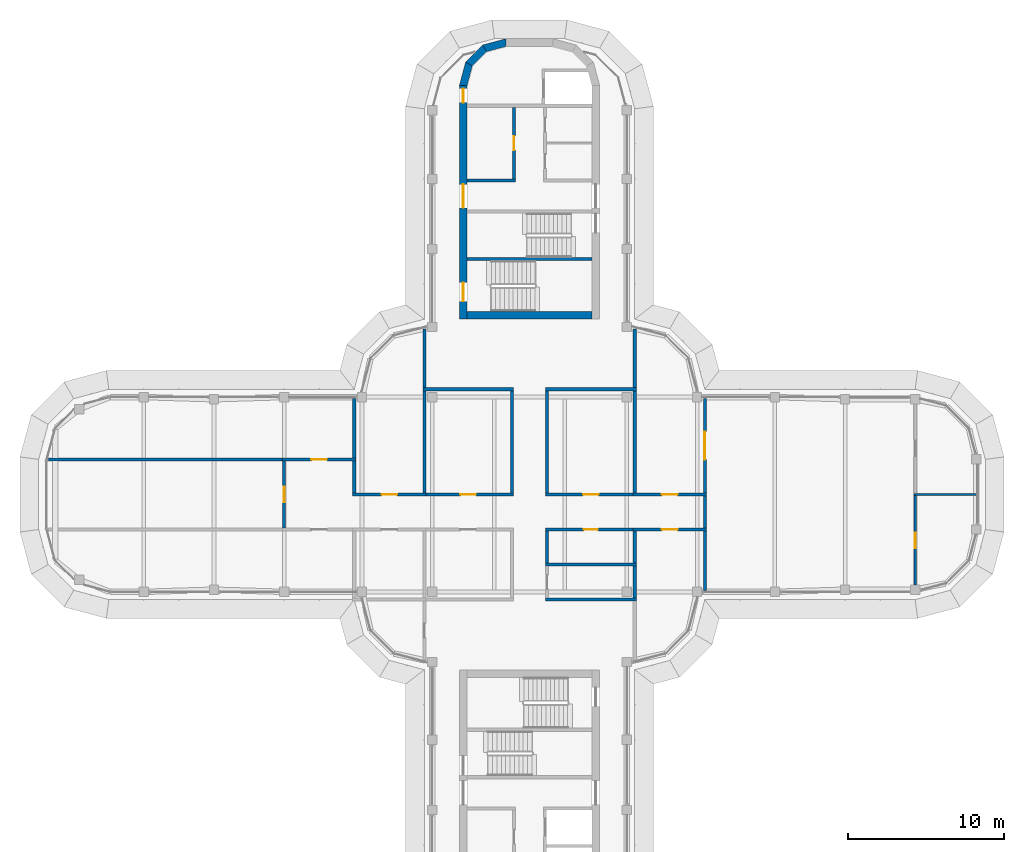
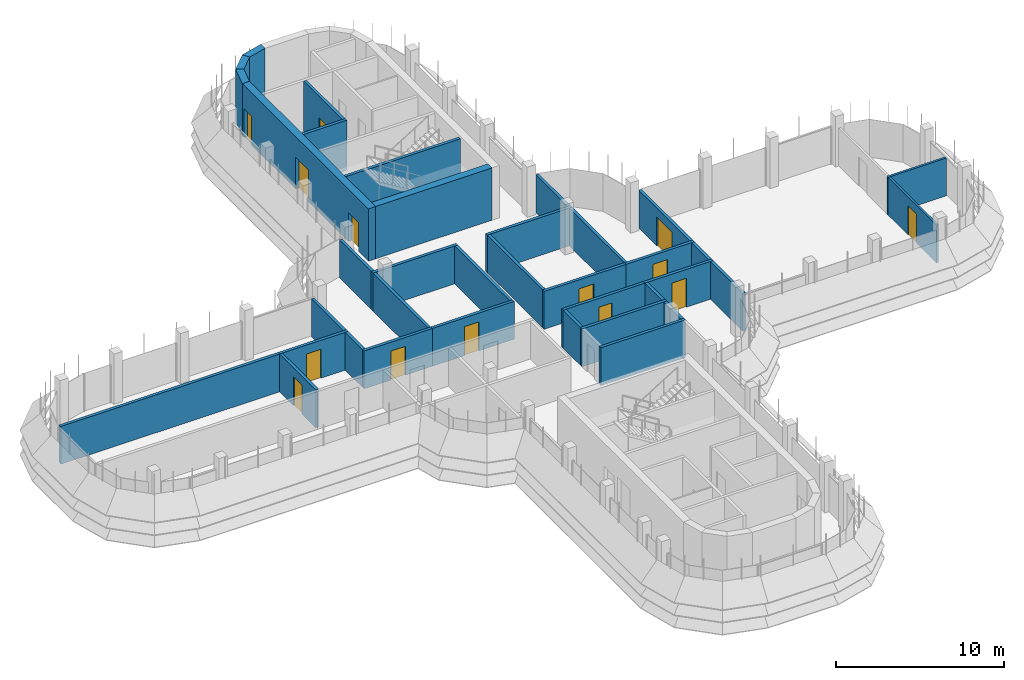
# One storey, part 14 of 19: 37 walls, 14 doors, 14 openings.
"""IFC4 building model written with IfcOpenShell, lengths in metres."""

from ifc_helpers import new_model, si_unit, direction, frame, frame_2d, origin, place, context, subcontext, project, spatial, polyline, rectangle, outline, extrude, material, layer, layer_set, type_object, element, fill, save


model = new_model("IFC4")

# Units and contexts
model_context = context("Model", 3, precision=1e-05, world=origin(), true_north=direction((0.0, 1.0)))
body_context = subcontext(model_context, "Body", "Model", "MODEL_VIEW")
ifc_project = project(units=[si_unit("LENGTHUNIT", "METRE"), si_unit("AREAUNIT", "SQUARE_METRE"), si_unit("VOLUMEUNIT", "CUBIC_METRE"), si_unit("PLANEANGLEUNIT", "RADIAN"), si_unit("MASSUNIT", "GRAM", prefix="KILO")], contexts=[model_context])

# Site, building, storey
site_placement = place(None, origin())
site = spatial("IfcSite", under=ifc_project, at=site_placement, CompositionType="ELEMENT")
building_placement = place(site_placement, origin())
building = spatial("IfcBuilding", under=site, at=building_placement, Name="Zarbagh Exchange Tower", CompositionType="ELEMENT")
storey_placement = place(building_placement, frame((0.0, 0.0, 276.39990234375)))
storey = spatial("IfcBuildingStorey", under=building, at=storey_placement, Name="L68", CompositionType="ELEMENT", Elevation=276.39990234375)

# Wall, opening, door
ifc_material_1 = material(Name="Plasterboard partition")
ifc_layer_1 = layer(ifc_material_1, 0.14990234375)
ifc_layer_set_1 = layer_set([ifc_layer_1], Name="PARTITION 150")
wall_type_1 = type_object("IfcWallType", Name="PARTITION 150", PredefinedType="PARTITIONING", material=ifc_layer_set_1)
wall_1_placement = place(storey_placement, frame((24.75, -0.074951171875, 0.0), z_axis=(0.0, 0.0, 1.0), x_axis=(0.0, -1.0, 0.0)))
wall_1 = element("IfcWall", 1, at=wall_1_placement, inside=storey, type_object=wall_type_1, Name="Partition W-2936", PredefinedType="PARTITIONING", context=body_context, shape_type="SweptSolid", body=[
    extrude(rectangle(XDim=5.735107421875, YDim=0.14990234375, at=frame_2d((2.86767578125, 0.0))), origin(), (0.0, 0.0, 1.0), 2.75),
])
opening_1_placement = place(wall_1_placement, frame((2.367431640625, 0.0, 0.0)))
opening_1 = element("IfcOpeningElement", 2, at=opening_1_placement, cuts=wall_1, Name="Opening D-2902", PredefinedType="OPENING", context=body_context, shape_type="SweptSolid", body=[
    extrude(rectangle(XDim=1.0, YDim=2.10009765625, at=frame_2d((0.5, 1.050048828125))), frame((0.0, 0.0849609375, 0.0), z_axis=(0.0, -1.0, 0.0), x_axis=(1.0, 0.0, 0.0)), (0.0, 0.0, 1.0), 0.169921875),
])
ifc_material_2 = material(Name="Timber door leaf", Category="wood")
door_type_1 = type_object("IfcDoorType", Name="DOOR 1000 X 2100", OperationType="NOTDEFINED", PredefinedType="DOOR", material=ifc_material_2)
door_1_placement = place(opening_1_placement, origin())
door_1 = element("IfcDoor", 3, at=door_1_placement, inside=storey, type_object=door_type_1, Name="Door D-2902", OperationType="SINGLE_SWING_RIGHT", OverallHeight=2.10009765625, OverallWidth=1.0, PredefinedType="DOOR", context=body_context, shape_type="SweptSolid", body=[
    extrude(rectangle(XDim=1.0, YDim=2.10009765625, at=frame_2d((0.5, 1.050048828125))), frame((0.0, 0.02490234375, 0.0), z_axis=(0.0, -1.0, 0.0), x_axis=(1.0, 0.0, 0.0)), (0.0, 0.0, 1.0), 0.050048828125),
])
fill(opening_1, door_1)

# Wall
wall_2_placement = place(storey_placement, frame((24.675048828125, 0.0, 0.0), z_axis=(0.0, 0.0, 1.0), x_axis=(1.0, 0.0, 0.0)))
element("IfcWall", 4, at=wall_2_placement, inside=storey, type_object=wall_type_1, Name="Partition W-2937", PredefinedType="PARTITIONING", context=body_context, shape_type="SweptSolid", body=[
    extrude(rectangle(XDim=3.994873046875, YDim=0.14990234375, at=frame_2d((1.99755859375, 0.0))), origin(), (0.0, 0.0, 1.0), 2.75),
])

# Wall, opening, door
ifc_material_3 = material(Name="Fire-rated plasterboard partition")
ifc_layer_2 = layer(ifc_material_3, 0.199951171875)
ifc_layer_set_2 = layer_set([ifc_layer_2], Name="RATED PARTITION 200")
wall_type_2 = type_object("IfcWallType", Name="RATED PARTITION 200", PredefinedType="PARTITIONING", material=ifc_layer_set_2)
wall_3_placement = place(storey_placement, frame((1.02490234375, 0.0, 0.0), z_axis=(0.0, 0.0, 1.0), x_axis=(1.0, 0.0, 0.0)))
wall_3 = element("IfcWall", 5, at=wall_3_placement, inside=storey, type_object=wall_type_2, Name="Partition W-2901", PredefinedType="PARTITIONING", context=body_context, shape_type="SweptSolid", body=[
    extrude(rectangle(XDim=5.8251953125, YDim=0.199951171875, at=frame_2d((2.91259765625, 0.0))), origin(), (0.0, 0.0, 1.0), 2.75),
])
opening_2_placement = place(wall_3_placement, frame((2.41259765625, 0.0, 0.0)))
opening_2 = element("IfcOpeningElement", 6, at=opening_2_placement, cuts=wall_3, Name="Opening D-2904", PredefinedType="OPENING", context=body_context, shape_type="SweptSolid", body=[
    extrude(rectangle(XDim=1.0, YDim=2.10009765625, at=frame_2d((0.5, 1.050048828125))), frame((0.0, 0.10986328125, 0.0), z_axis=(0.0, -1.0, 0.0), x_axis=(1.0, 0.0, 0.0)), (0.0, 0.0, 1.0), 0.219970703125),
])
ifc_material_4 = material(Name="Steel door set", Category="steel")
door_type_2 = type_object("IfcDoorType", Name="FIRE DOOR 1000 X 2100 FD30S", OperationType="NOTDEFINED", PredefinedType="DOOR", material=ifc_material_4)
door_2_placement = place(opening_2_placement, origin())
door_2 = element("IfcDoor", 7, at=door_2_placement, inside=storey, type_object=door_type_2, Name="Door D-2904", OperationType="SINGLE_SWING_RIGHT", OverallHeight=2.10009765625, OverallWidth=1.0, PredefinedType="DOOR", context=body_context, shape_type="SweptSolid", body=[
    extrude(rectangle(XDim=1.0, YDim=2.10009765625, at=frame_2d((0.5, 1.050048828125))), frame((0.0, 0.02490234375, 0.0), z_axis=(0.0, -1.0, 0.0), x_axis=(1.0, 0.0, 0.0)), (0.0, 0.0, 1.0), 0.050048828125),
])
fill(opening_2, door_2)

wall_4_placement = place(storey_placement, frame((6.64990234375, 0.0, 0.0), z_axis=(0.0, 0.0, 1.0), x_axis=(1.0, 0.0, 0.0)))
wall_4 = element("IfcWall", 8, at=wall_4_placement, inside=storey, type_object=wall_type_2, Name="Partition W-2902", PredefinedType="PARTITIONING", context=body_context, shape_type="SweptSolid", body=[
    extrude(rectangle(XDim=4.7001953125, YDim=0.199951171875, at=frame_2d((2.35009765625, 0.0))), origin(), (0.0, 0.0, 1.0), 2.75),
])
opening_3_placement = place(wall_4_placement, frame((1.85009765625, 0.0, 0.0)))
opening_3 = element("IfcOpeningElement", 9, at=opening_3_placement, cuts=wall_4, Name="Opening D-2905", PredefinedType="OPENING", context=body_context, shape_type="SweptSolid", body=[
    extrude(rectangle(XDim=1.0, YDim=2.10009765625, at=frame_2d((0.5, 1.050048828125))), frame((0.0, 0.10986328125, 0.0), z_axis=(0.0, -1.0, 0.0), x_axis=(1.0, 0.0, 0.0)), (0.0, 0.0, 1.0), 0.219970703125),
])
door_3_placement = place(opening_3_placement, origin())
door_3 = element("IfcDoor", 10, at=door_3_placement, inside=storey, type_object=door_type_2, Name="Door D-2905", OperationType="SINGLE_SWING_RIGHT", OverallHeight=2.10009765625, OverallWidth=1.0, PredefinedType="DOOR", context=body_context, shape_type="SweptSolid", body=[
    extrude(rectangle(XDim=1.0, YDim=2.10009765625, at=frame_2d((0.5, 1.050048828125))), frame((0.0, 0.02490234375, 0.0), z_axis=(0.0, -1.0, 0.0), x_axis=(1.0, 0.0, 0.0)), (0.0, 0.0, 1.0), 0.050048828125),
])
fill(opening_3, door_3)

wall_5_placement = place(storey_placement, frame((-6.85009765625, 0.0, 0.0), z_axis=(0.0, 0.0, 1.0), x_axis=(1.0, 0.0, 0.0)))
wall_5 = element("IfcWall", 11, at=wall_5_placement, inside=storey, type_object=wall_type_2, Name="Partition W-2903", PredefinedType="PARTITIONING", context=body_context, shape_type="SweptSolid", body=[
    extrude(rectangle(XDim=5.8251953125, YDim=0.199951171875, at=frame_2d((2.91259765625, 0.0))), origin(), (0.0, 0.0, 1.0), 2.75),
])
opening_4_placement = place(wall_5_placement, frame((2.41259765625, 0.0, 0.0)))
opening_4 = element("IfcOpeningElement", 12, at=opening_4_placement, cuts=wall_5, Name="Opening D-2906", PredefinedType="OPENING", context=body_context, shape_type="SweptSolid", body=[
    extrude(rectangle(XDim=1.0, YDim=2.10009765625, at=frame_2d((0.5, 1.050048828125))), frame((0.0, 0.10986328125, 0.0), z_axis=(0.0, -1.0, 0.0), x_axis=(1.0, 0.0, 0.0)), (0.0, 0.0, 1.0), 0.219970703125),
])
door_4_placement = place(opening_4_placement, origin())
door_4 = element("IfcDoor", 13, at=door_4_placement, inside=storey, type_object=door_type_2, Name="Door D-2906", OperationType="SINGLE_SWING_RIGHT", OverallHeight=2.10009765625, OverallWidth=1.0, PredefinedType="DOOR", context=body_context, shape_type="SweptSolid", body=[
    extrude(rectangle(XDim=1.0, YDim=2.10009765625, at=frame_2d((0.5, 1.050048828125))), frame((0.0, 0.02490234375, 0.0), z_axis=(0.0, -1.0, 0.0), x_axis=(1.0, 0.0, 0.0)), (0.0, 0.0, 1.0), 0.050048828125),
])
fill(opening_4, door_4)

wall_6_placement = place(storey_placement, frame((-11.35009765625, 0.0, 0.0), z_axis=(0.0, 0.0, 1.0), x_axis=(1.0, 0.0, 0.0)))
wall_6 = element("IfcWall", 14, at=wall_6_placement, inside=storey, type_object=wall_type_2, Name="Partition W-2904", PredefinedType="PARTITIONING", context=body_context, shape_type="SweptSolid", body=[
    extrude(rectangle(XDim=4.7001953125, YDim=0.199951171875, at=frame_2d((2.35009765625, 0.0))), origin(), (0.0, 0.0, 1.0), 2.75),
])
opening_5_placement = place(wall_6_placement, frame((1.85009765625, 0.0, 0.0)))
opening_5 = element("IfcOpeningElement", 15, at=opening_5_placement, cuts=wall_6, Name="Opening D-2907", PredefinedType="OPENING", context=body_context, shape_type="SweptSolid", body=[
    extrude(rectangle(XDim=1.0, YDim=2.10009765625, at=frame_2d((0.5, 1.050048828125))), frame((0.0, 0.10986328125, 0.0), z_axis=(0.0, -1.0, 0.0), x_axis=(1.0, 0.0, 0.0)), (0.0, 0.0, 1.0), 0.219970703125),
])
door_5_placement = place(opening_5_placement, origin())
door_5 = element("IfcDoor", 16, at=door_5_placement, inside=storey, type_object=door_type_2, Name="Door D-2907", OperationType="SINGLE_SWING_RIGHT", OverallHeight=2.10009765625, OverallWidth=1.0, PredefinedType="DOOR", context=body_context, shape_type="SweptSolid", body=[
    extrude(rectangle(XDim=1.0, YDim=2.10009765625, at=frame_2d((0.5, 1.050048828125))), frame((0.0, 0.02490234375, 0.0), z_axis=(0.0, -1.0, 0.0), x_axis=(1.0, 0.0, 0.0)), (0.0, 0.0, 1.0), 0.050048828125),
])
fill(opening_5, door_5)

wall_7_placement = place(storey_placement, frame((6.85009765625, -2.25, 0.0), z_axis=(0.0, 0.0, 1.0), x_axis=(-1.0, 0.0, 0.0)))
wall_7 = element("IfcWall", 17, at=wall_7_placement, inside=storey, type_object=wall_type_2, Name="Partition W-2905", PredefinedType="PARTITIONING", context=body_context, shape_type="SweptSolid", body=[
    extrude(rectangle(XDim=5.8251953125, YDim=0.199951171875, at=frame_2d((2.91259765625, 0.0))), origin(), (0.0, 0.0, 1.0), 2.75),
])
opening_6_placement = place(wall_7_placement, frame((2.46240234375, 0.0, 0.0)))
opening_6 = element("IfcOpeningElement", 18, at=opening_6_placement, cuts=wall_7, Name="Opening D-2908", PredefinedType="OPENING", context=body_context, shape_type="SweptSolid", body=[
    extrude(rectangle(XDim=0.89990234375, YDim=2.10009765625, at=frame_2d((0.449951171875, 1.050048828125))), frame((0.0, 0.10986328125, 0.0), z_axis=(0.0, -1.0, 0.0), x_axis=(1.0, 0.0, 0.0)), (0.0, 0.0, 1.0), 0.219970703125),
])
door_type_3 = type_object("IfcDoorType", Name="DOOR 900 X 2100", OperationType="NOTDEFINED", PredefinedType="DOOR", material=ifc_material_2)
door_6_placement = place(opening_6_placement, origin())
door_6 = element("IfcDoor", 19, at=door_6_placement, inside=storey, type_object=door_type_3, Name="Door D-2908", OperationType="SINGLE_SWING_RIGHT", OverallHeight=2.10009765625, OverallWidth=0.89990234375, PredefinedType="DOOR", context=body_context, shape_type="SweptSolid", body=[
    extrude(rectangle(XDim=0.89990234375, YDim=2.10009765625, at=frame_2d((0.449951171875, 1.050048828125))), frame((0.0, 0.02490234375, 0.0), z_axis=(0.0, -1.0, 0.0), x_axis=(1.0, 0.0, 0.0)), (0.0, 0.0, 1.0), 0.050048828125),
])
fill(opening_6, door_6)

wall_8_placement = place(storey_placement, frame((11.35009765625, -2.25, 0.0), z_axis=(0.0, 0.0, 1.0), x_axis=(-1.0, 0.0, 0.0)))
wall_8 = element("IfcWall", 20, at=wall_8_placement, inside=storey, type_object=wall_type_2, Name="Partition W-2906", PredefinedType="PARTITIONING", context=body_context, shape_type="SweptSolid", body=[
    extrude(rectangle(XDim=4.7001953125, YDim=0.199951171875, at=frame_2d((2.35009765625, 0.0))), origin(), (0.0, 0.0, 1.0), 2.75),
])
opening_7_placement = place(wall_8_placement, frame((1.85009765625, 0.0, 0.0)))
opening_7 = element("IfcOpeningElement", 21, at=opening_7_placement, cuts=wall_8, Name="Opening D-2910", PredefinedType="OPENING", context=body_context, shape_type="SweptSolid", body=[
    extrude(rectangle(XDim=1.0, YDim=2.10009765625, at=frame_2d((0.5, 1.050048828125))), frame((0.0, 0.10986328125, 0.0), z_axis=(0.0, -1.0, 0.0), x_axis=(1.0, 0.0, 0.0)), (0.0, 0.0, 1.0), 0.219970703125),
])
door_7_placement = place(opening_7_placement, origin())
door_7 = element("IfcDoor", 22, at=door_7_placement, inside=storey, type_object=door_type_2, Name="Door D-2910", OperationType="SINGLE_SWING_RIGHT", OverallHeight=2.10009765625, OverallWidth=1.0, PredefinedType="DOOR", context=body_context, shape_type="SweptSolid", body=[
    extrude(rectangle(XDim=1.0, YDim=2.10009765625, at=frame_2d((0.5, 1.050048828125))), frame((0.0, 0.02490234375, 0.0), z_axis=(0.0, -1.0, 0.0), x_axis=(1.0, 0.0, 0.0)), (0.0, 0.0, 1.0), 0.050048828125),
])
fill(opening_7, door_7)

# Walls
wall_9_placement = place(storey_placement, frame((11.25, -2.14990234375, 0.0), z_axis=(0.0, 0.0, 1.0), x_axis=(0.0, 1.0, 0.0)))
element("IfcWall", 23, at=wall_9_placement, inside=storey, type_object=wall_type_2, Name="Partition W-2909", PredefinedType="PARTITIONING", context=body_context, shape_type="SweptSolid", body=[
    extrude(rectangle(XDim=2.0498046875, YDim=0.199951171875, at=frame_2d((1.02490234375, 0.0))), origin(), (0.0, 0.0, 1.0), 2.75),
])
for number, where, z_axis, x_axis, name in (
    (24, (1.125, 0.10009765625, 0.0), (0.0, 0.0, 1.0), (0.0, 1.0, 0.0), "Partition W-2910"),
    (25, (-1.125, 0.10009765625, 0.0), (0.0, 0.0, 1.0), (0.0, 1.0, 0.0), "Partition W-2911"),
):
    element("IfcWall", number, at=place(storey_placement, frame(where, z_axis=z_axis, x_axis=x_axis)), inside=storey, type_object=wall_type_2, Name=name, PredefinedType="PARTITIONING", context=body_context, shape_type="SweptSolid", body=[
        extrude(rectangle(XDim=6.5498046875, YDim=0.199951171875, at=frame_2d((3.27490234375, 0.0))), origin(), (0.0, 0.0, 1.0), 2.75),
    ])
wall_10_placement = place(storey_placement, frame((1.125, -4.39990234375, 0.0), z_axis=(0.0, 0.0, 1.0), x_axis=(0.0, 1.0, 0.0)))
element("IfcWall", 26, at=wall_10_placement, inside=storey, type_object=wall_type_2, Name="Partition W-2912", PredefinedType="PARTITIONING", context=body_context, shape_type="SweptSolid", body=[
    extrude(rectangle(XDim=2.0498046875, YDim=0.199951171875, at=frame_2d((1.02490234375, 0.0))), origin(), (0.0, 0.0, 1.0), 2.75),
])
wall_11_placement = place(storey_placement, frame((1.02490234375, 6.75, 0.0), z_axis=(0.0, 0.0, 1.0), x_axis=(1.0, 0.0, 0.0)))
element("IfcWall", 27, at=wall_11_placement, inside=storey, type_object=wall_type_2, Name="Partition W-2915", PredefinedType="PARTITIONING", context=body_context, shape_type="SweptSolid", body=[
    extrude(rectangle(XDim=5.8251953125, YDim=0.199951171875, at=frame_2d((2.91259765625, 0.0))), origin(), (0.0, 0.0, 1.0), 2.75),
])
wall_12_placement = place(storey_placement, frame((6.75, 6.85009765625, 0.0), z_axis=(0.0, 0.0, 1.0), x_axis=(0.0, 1.0, 0.0)))
element("IfcWall", 28, at=wall_12_placement, inside=storey, type_object=wall_type_2, Name="Partition W-2916", PredefinedType="PARTITIONING", context=body_context, shape_type="SweptSolid", body=[
    extrude(rectangle(XDim=3.77978515625, YDim=0.199951171875, at=frame_2d((1.889892578125, 0.0))), origin(), (0.0, 0.0, 1.0), 2.75),
])
wall_13_placement = place(storey_placement, frame((-6.85009765625, 6.75, 0.0), z_axis=(0.0, 0.0, 1.0), x_axis=(1.0, 0.0, 0.0)))
element("IfcWall", 29, at=wall_13_placement, inside=storey, type_object=wall_type_2, Name="Partition W-2917", PredefinedType="PARTITIONING", context=body_context, shape_type="SweptSolid", body=[
    extrude(rectangle(XDim=5.8251953125, YDim=0.199951171875, at=frame_2d((2.91259765625, 0.0))), origin(), (0.0, 0.0, 1.0), 2.75),
])
wall_14_placement = place(storey_placement, frame((-6.75, 6.85009765625, 0.0), z_axis=(0.0, 0.0, 1.0), x_axis=(0.0, 1.0, 0.0)))
element("IfcWall", 30, at=wall_14_placement, inside=storey, type_object=wall_type_2, Name="Partition W-2918", PredefinedType="PARTITIONING", context=body_context, shape_type="SweptSolid", body=[
    extrude(rectangle(XDim=3.77978515625, YDim=0.199951171875, at=frame_2d((1.889892578125, 0.0))), origin(), (0.0, 0.0, 1.0), 2.75),
])
wall_15_placement = place(storey_placement, frame((1.02490234375, -6.75, 0.0), z_axis=(0.0, 0.0, 1.0), x_axis=(1.0, 0.0, 0.0)))
element("IfcWall", 31, at=wall_15_placement, inside=storey, type_object=wall_type_2, Name="Partition W-2919", PredefinedType="PARTITIONING", context=body_context, shape_type="SweptSolid", body=[
    extrude(rectangle(XDim=5.8251953125, YDim=0.199951171875, at=frame_2d((2.91259765625, 0.0))), origin(), (0.0, 0.0, 1.0), 2.75),
])
wall_16_placement = place(storey_placement, frame((6.75, 0.10009765625, 0.0), z_axis=(0.0, 0.0, 1.0), x_axis=(0.0, 1.0, 0.0)))
element("IfcWall", 32, at=wall_16_placement, inside=storey, type_object=wall_type_2, Name="Partition W-2923", PredefinedType="PARTITIONING", context=body_context, shape_type="SweptSolid", body=[
    extrude(rectangle(XDim=6.5498046875, YDim=0.199951171875, at=frame_2d((3.27490234375, 0.0))), origin(), (0.0, 0.0, 1.0), 2.75),
])

# Wall, opening, door
wall_17_placement = place(storey_placement, frame((11.25, 6.169921875, 0.0), z_axis=(0.0, 0.0, 1.0), x_axis=(0.0, -1.0, 0.0)))
wall_17 = element("IfcWall", 33, at=wall_17_placement, inside=storey, type_object=wall_type_2, Name="Partition W-2924", PredefinedType="PARTITIONING", context=body_context, shape_type="SweptSolid", body=[
    extrude(rectangle(XDim=6.06982421875, YDim=0.199951171875, at=frame_2d((3.034912109375, 0.0))), origin(), (0.0, 0.0, 1.0), 2.75),
])
opening_8_placement = place(wall_17_placement, frame((2.135009765625, 0.0, 0.0)))
opening_8 = element("IfcOpeningElement", 34, at=opening_8_placement, cuts=wall_17, Name="Opening D-2903", PredefinedType="OPENING", context=body_context, shape_type="SweptSolid", body=[
    extrude(rectangle(XDim=1.800048828125, YDim=2.10009765625, at=frame_2d((0.89990234375, 1.050048828125))), frame((0.0, 0.10986328125, 0.0), z_axis=(0.0, -1.0, 0.0), x_axis=(1.0, 0.0, 0.0)), (0.0, 0.0, 1.0), 0.219970703125),
])
door_type_4 = type_object("IfcDoorType", Name="FIRE DOUBLE DOOR 1800 X 2100 FD30S", OperationType="DOUBLE_DOOR_SINGLE_SWING", PredefinedType="DOOR", material=ifc_material_4)
door_8_placement = place(opening_8_placement, origin())
door_8 = element("IfcDoor", 35, at=door_8_placement, inside=storey, type_object=door_type_4, Name="Door D-2903", OperationType="DOUBLE_DOOR_SINGLE_SWING", OverallHeight=2.10009765625, OverallWidth=1.800048828125, PredefinedType="DOOR", context=body_context, shape_type="SweptSolid", body=[
    extrude(rectangle(XDim=1.800048828125, YDim=2.10009765625, at=frame_2d((0.89990234375, 1.050048828125))), frame((0.0, 0.02490234375, 0.0), z_axis=(0.0, -1.0, 0.0), x_axis=(1.0, 0.0, 0.0)), (0.0, 0.0, 1.0), 0.050048828125),
])
fill(opening_8, door_8)

# Walls
wall_18_placement = place(storey_placement, frame((-6.75, 0.10009765625, 0.0), z_axis=(0.0, 0.0, 1.0), x_axis=(0.0, 1.0, 0.0)))
element("IfcWall", 36, at=wall_18_placement, inside=storey, type_object=wall_type_2, Name="Partition W-2925", PredefinedType="PARTITIONING", context=body_context, shape_type="SweptSolid", body=[
    extrude(rectangle(XDim=6.5498046875, YDim=0.199951171875, at=frame_2d((3.27490234375, 0.0))), origin(), (0.0, 0.0, 1.0), 2.75),
])
wall_19_placement = place(storey_placement, frame((-11.25, 0.10009765625, 0.0), z_axis=(0.0, 0.0, 1.0), x_axis=(0.0, 1.0, 0.0)))
element("IfcWall", 37, at=wall_19_placement, inside=storey, type_object=wall_type_2, Name="Partition W-2926", PredefinedType="PARTITIONING", context=body_context, shape_type="SweptSolid", body=[
    extrude(rectangle(XDim=2.0498046875, YDim=0.199951171875, at=frame_2d((1.02490234375, 0.0))), origin(), (0.0, 0.0, 1.0), 2.75),
])
wall_20_placement = place(storey_placement, frame((-11.25, 2.35009765625, 0.0), z_axis=(0.0, 0.0, 1.0), x_axis=(0.0, 1.0, 0.0)))
element("IfcWall", 38, at=wall_20_placement, inside=storey, type_object=wall_type_2, Name="Partition W-2927", PredefinedType="PARTITIONING", context=body_context, shape_type="SweptSolid", body=[
    extrude(rectangle(XDim=3.81982421875, YDim=0.199951171875, at=frame_2d((1.909912109375, 0.0))), origin(), (0.0, 0.0, 1.0), 2.75),
])
wall_21_placement = place(storey_placement, frame((1.02490234375, -4.5, 0.0), z_axis=(0.0, 0.0, 1.0), x_axis=(1.0, 0.0, 0.0)))
element("IfcWall", 39, at=wall_21_placement, inside=storey, type_object=wall_type_2, Name="Partition W-2928", PredefinedType="PARTITIONING", context=body_context, shape_type="SweptSolid", body=[
    extrude(rectangle(XDim=5.8251953125, YDim=0.199951171875, at=frame_2d((2.91259765625, 0.0))), origin(), (0.0, 0.0, 1.0), 2.75),
])
for number, where, z_axis, x_axis, name in (
    (40, (6.75, -4.39990234375, 0.0), (0.0, 0.0, 1.0), (0.0, 1.0, 0.0), "Partition W-2929"),
    (41, (6.75, -6.64990234375, 0.0), (0.0, 0.0, 1.0), (0.0, 1.0, 0.0), "Partition W-2930"),
):
    element("IfcWall", number, at=place(storey_placement, frame(where, z_axis=z_axis, x_axis=x_axis)), inside=storey, type_object=wall_type_2, Name=name, PredefinedType="PARTITIONING", context=body_context, shape_type="SweptSolid", body=[
        extrude(rectangle(XDim=2.0498046875, YDim=0.199951171875, at=frame_2d((1.02490234375, 0.0))), origin(), (0.0, 0.0, 1.0), 2.75),
    ])
wall_22_placement = place(storey_placement, frame((11.25, -6.169921875, 0.0), z_axis=(0.0, 0.0, 1.0), x_axis=(0.0, 1.0, 0.0)))
element("IfcWall", 42, at=wall_22_placement, inside=storey, type_object=wall_type_2, Name="Partition W-2931", PredefinedType="PARTITIONING", context=body_context, shape_type="SweptSolid", body=[
    extrude(rectangle(XDim=3.81982421875, YDim=0.199951171875, at=frame_2d((1.909912109375, 0.0))), origin(), (0.0, 0.0, 1.0), 2.75),
])

# Wall, opening, door
wall_23_placement = place(storey_placement, frame((-15.85009765625, 2.25, 0.0), z_axis=(0.0, 0.0, 1.0), x_axis=(1.0, 0.0, 0.0)))
wall_23 = element("IfcWall", 43, at=wall_23_placement, inside=storey, type_object=wall_type_2, Name="Partition W-2938", PredefinedType="PARTITIONING", context=body_context, shape_type="SweptSolid", body=[
    extrude(rectangle(XDim=4.7001953125, YDim=0.199951171875, at=frame_2d((2.35009765625, 0.0))), origin(), (0.0, 0.0, 1.0), 2.75),
])
opening_9_placement = place(wall_23_placement, frame((1.85009765625, 0.0, 0.0)))
opening_9 = element("IfcOpeningElement", 44, at=opening_9_placement, cuts=wall_23, Name="Opening D-2915", PredefinedType="OPENING", context=body_context, shape_type="SweptSolid", body=[
    extrude(rectangle(XDim=1.0, YDim=2.10009765625, at=frame_2d((0.5, 1.050048828125))), frame((0.0, 0.10986328125, 0.0), z_axis=(0.0, -1.0, 0.0), x_axis=(1.0, 0.0, 0.0)), (0.0, 0.0, 1.0), 0.219970703125),
])
door_9_placement = place(opening_9_placement, origin())
door_9 = element("IfcDoor", 45, at=door_9_placement, inside=storey, type_object=door_type_2, Name="Door D-2915", OperationType="SINGLE_SWING_RIGHT", OverallHeight=2.10009765625, OverallWidth=1.0, PredefinedType="DOOR", context=body_context, shape_type="SweptSolid", body=[
    extrude(rectangle(XDim=1.0, YDim=2.10009765625, at=frame_2d((0.5, 1.050048828125))), frame((0.0, 0.02490234375, 0.0), z_axis=(0.0, -1.0, 0.0), x_axis=(1.0, 0.0, 0.0)), (0.0, 0.0, 1.0), 0.050048828125),
])
fill(opening_9, door_9)

wall_24_placement = place(storey_placement, frame((-15.75, -2.14990234375, 0.0), z_axis=(0.0, 0.0, 1.0), x_axis=(0.0, 1.0, 0.0)))
wall_24 = element("IfcWall", 46, at=wall_24_placement, inside=storey, type_object=wall_type_2, Name="Partition W-2940", PredefinedType="PARTITIONING", context=body_context, shape_type="SweptSolid", body=[
    extrude(rectangle(XDim=4.2998046875, YDim=0.199951171875, at=frame_2d((2.14990234375, 0.0))), origin(), (0.0, 0.0, 1.0), 2.75),
])
opening_10_placement = place(wall_24_placement, frame((1.64990234375, 0.0, 0.0)))
opening_10 = element("IfcOpeningElement", 47, at=opening_10_placement, cuts=wall_24, Name="Opening D-2914", PredefinedType="OPENING", context=body_context, shape_type="SweptSolid", body=[
    extrude(rectangle(XDim=1.0, YDim=2.10009765625, at=frame_2d((0.5, 1.050048828125))), frame((0.0, 0.10986328125, 0.0), z_axis=(0.0, -1.0, 0.0), x_axis=(1.0, 0.0, 0.0)), (0.0, 0.0, 1.0), 0.219970703125),
])
door_10_placement = place(opening_10_placement, origin())
door_10 = element("IfcDoor", 48, at=door_10_placement, inside=storey, type_object=door_type_2, Name="Door D-2914", OperationType="SINGLE_SWING_RIGHT", OverallHeight=2.10009765625, OverallWidth=1.0, PredefinedType="DOOR", context=body_context, shape_type="SweptSolid", body=[
    extrude(rectangle(XDim=1.0, YDim=2.10009765625, at=frame_2d((0.5, 1.050048828125))), frame((0.0, 0.02490234375, 0.0), z_axis=(0.0, -1.0, 0.0), x_axis=(1.0, 0.0, 0.0)), (0.0, 0.0, 1.0), 0.050048828125),
])
fill(opening_10, door_10)

# Walls
wall_25_placement = place(storey_placement, frame((-30.8798828125, 2.25, 0.0), z_axis=(0.0, 0.0, 1.0), x_axis=(1.0, 0.0, 0.0)))
element("IfcWall", 49, at=wall_25_placement, inside=storey, type_object=wall_type_2, Name="Partition W-2941", PredefinedType="PARTITIONING", context=body_context, shape_type="SweptSolid", body=[
    extrude(rectangle(XDim=15.22998046875, YDim=0.199951171875, at=frame_2d((7.614990234375, 0.0))), origin(), (0.0, 0.0, 1.0), 2.75),
])
ifc_material_5 = material(Name="Concrete C40/50", Category="concrete")
ifc_layer_3 = layer(ifc_material_5, 0.5)
ifc_layer_set_3 = layer_set([ifc_layer_3], Name="RC core corner wall 500 C40/50")
wall_type_3 = type_object("IfcWallType", Name="RC core corner wall 500 C40/50", PredefinedType="SHEAR", material=ifc_layer_set_3)
wall_26_placement = place(storey_placement, origin())
element("IfcWall", 50, at=wall_26_placement, inside=storey, type_object=wall_type_3, Name="CW10 core N corner W", PredefinedType="SHEAR", context=body_context, shape_type="SweptSolid", body=[
    extrude(outline(polyline([(-4.5, 26.25), (-4.09814453125, 27.75), (-3.6650390625, 27.5), (-4.0, 26.25), (-4.5, 26.25)])), origin(), (0.0, 0.0, 1.0), 3.800048828125),
])
wall_27_placement = place(storey_placement, origin())
element("IfcWall", 51, at=wall_27_placement, inside=storey, type_object=wall_type_3, Name="CW10 core N corner W", PredefinedType="SHEAR", context=body_context, shape_type="SweptSolid", body=[
    extrude(outline(polyline([(-4.09814453125, 27.75), (-3.0, 28.84814453125), (-2.75, 28.4150390625), (-3.6650390625, 27.5), (-4.09814453125, 27.75)])), origin(), (0.0, 0.0, 1.0), 3.800048828125),
])
wall_28_placement = place(storey_placement, origin())
element("IfcWall", 52, at=wall_28_placement, inside=storey, type_object=wall_type_3, Name="CW10 core N corner W", PredefinedType="SHEAR", context=body_context, shape_type="SweptSolid", body=[
    extrude(outline(polyline([(-3.0, 28.84814453125), (-1.5, 29.25), (-1.5, 28.75), (-2.75, 28.4150390625), (-3.0, 28.84814453125)])), origin(), (0.0, 0.0, 1.0), 3.800048828125),
])

# Wall, openings, doors
ifc_layer_4 = layer(ifc_material_5, 0.5)
ifc_layer_set_4 = layer_set([ifc_layer_4], Name="RC core wall 500 C40/50")
wall_type_4 = type_object("IfcWallType", Name="RC core wall 500 C40/50", PredefinedType="SHEAR", material=ifc_layer_set_4)
wall_29_placement = place(storey_placement, frame((-4.25, 11.25, 0.0), z_axis=(0.0, 0.0, 1.0), x_axis=(0.0, 1.0, 0.0)))
wall_29 = element("IfcWall", 53, at=wall_29_placement, inside=storey, type_object=wall_type_4, Name="CW9 core N W", PredefinedType="SHEAR", context=body_context, shape_type="SweptSolid", body=[
    extrude(rectangle(XDim=15.0, YDim=0.5, at=frame_2d((7.5, 0.0))), origin(), (0.0, 0.0, 1.0), 3.800048828125),
])
opening_11_placement = place(wall_29_placement, frame((7.14990234375, 0.0, 0.0)))
opening_11 = element("IfcOpeningElement", 54, at=opening_11_placement, cuts=wall_29, Name="Opening CD1-1500", PredefinedType="OPENING", context=body_context, shape_type="SweptSolid", body=[
    extrude(rectangle(XDim=1.5, YDim=2.300048828125, at=frame_2d((0.75, 1.14990234375))), frame((0.0, 0.260009765625, 0.0), z_axis=(0.0, -1.0, 0.0), x_axis=(1.0, 0.0, 0.0)), (0.0, 0.0, 1.0), 0.52001953125),
])
opening_12_placement = place(wall_29_placement, frame((13.89990234375, 0.0, 0.0)))
opening_12 = element("IfcOpeningElement", 55, at=opening_12_placement, cuts=wall_29, Name="Opening CD2-900", PredefinedType="OPENING", context=body_context, shape_type="SweptSolid", body=[
    extrude(rectangle(XDim=0.89990234375, YDim=2.10009765625, at=frame_2d((0.449951171875, 1.050048828125))), frame((0.0, 0.260009765625, 0.0), z_axis=(0.0, -1.0, 0.0), x_axis=(1.0, 0.0, 0.0)), (0.0, 0.0, 1.0), 0.52001953125),
])
opening_13_placement = place(wall_29_placement, frame((1.14990234375, 0.0, 0.0)))
opening_13 = element("IfcOpeningElement", 56, at=opening_13_placement, cuts=wall_29, Name="Opening SD1-1200", PredefinedType="OPENING", context=body_context, shape_type="SweptSolid", body=[
    extrude(rectangle(XDim=1.199951171875, YDim=2.10009765625, at=frame_2d((0.60009765625, 1.050048828125))), frame((0.0, 0.260009765625, 0.0), z_axis=(0.0, -1.0, 0.0), x_axis=(1.0, 0.0, 0.0)), (0.0, 0.0, 1.0), 0.52001953125),
])
ifc_material_6 = material(Name="Steel", Category="steel")
door_type_5 = type_object("IfcDoorType", Name="Exit stair door 1200 x 2100", OperationType="NOTDEFINED", PredefinedType="DOOR", material=ifc_material_6)
door_11_placement = place(opening_13_placement, origin())
door_11 = element("IfcDoor", 57, at=door_11_placement, inside=storey, type_object=door_type_5, Name="North core stair door ST2", OperationType="SINGLE_SWING_LEFT", OverallHeight=2.10009765625, OverallWidth=1.199951171875, PredefinedType="DOOR", context=body_context, shape_type="SweptSolid", body=[
    extrude(rectangle(XDim=1.199951171875, YDim=2.10009765625, at=frame_2d((0.60009765625, 1.050048828125))), frame((0.0, 0.02490234375, 0.0), z_axis=(0.0, -1.0, 0.0), x_axis=(1.0, 0.0, 0.0)), (0.0, 0.0, 1.0), 0.050048828125),
])
fill(opening_13, door_11)
door_type_6 = type_object("IfcDoorType", Name="Firefighting lobby door 900 x 2100", OperationType="NOTDEFINED", PredefinedType="DOOR", material=ifc_material_6)
door_12_placement = place(opening_12_placement, origin())
door_12 = element("IfcDoor", 58, at=door_12_placement, inside=storey, type_object=door_type_6, Name="North core firefighting lobby door FF-W", OperationType="SINGLE_SWING_LEFT", OverallHeight=2.10009765625, OverallWidth=0.89990234375, PredefinedType="DOOR", context=body_context, shape_type="SweptSolid", body=[
    extrude(rectangle(XDim=0.89990234375, YDim=2.10009765625, at=frame_2d((0.449951171875, 1.050048828125))), frame((0.0, 0.02490234375, 0.0), z_axis=(0.0, -1.0, 0.0), x_axis=(1.0, 0.0, 0.0)), (0.0, 0.0, 1.0), 0.050048828125),
])
fill(opening_12, door_12)
door_type_7 = type_object("IfcDoorType", Name="Lift lobby double door 1500 x 2300", OperationType="NOTDEFINED", PredefinedType="DOOR", material=ifc_material_6)
door_13_placement = place(opening_11_placement, origin())
door_13 = element("IfcDoor", 59, at=door_13_placement, inside=storey, type_object=door_type_7, Name="North core lift lobby door LOBBY-W", OperationType="DOUBLE_DOOR_SINGLE_SWING", OverallHeight=2.300048828125, OverallWidth=1.5, PredefinedType="DOOR", context=body_context, shape_type="SweptSolid", body=[
    extrude(rectangle(XDim=1.5, YDim=2.300048828125, at=frame_2d((0.75, 1.14990234375))), frame((0.0, 0.02490234375, 0.0), z_axis=(0.0, -1.0, 0.0), x_axis=(1.0, 0.0, 0.0)), (0.0, 0.0, 1.0), 0.050048828125),
])
fill(opening_11, door_13)

# Walls
wall_30_placement = place(storey_placement, frame((-4.0, 11.5, 0.0), z_axis=(0.0, 0.0, 1.0), x_axis=(1.0, 0.0, 0.0)))
element("IfcWall", 60, at=wall_30_placement, inside=storey, type_object=wall_type_4, Name="CW9 core N inner end", PredefinedType="SHEAR", context=body_context, shape_type="SweptSolid", body=[
    extrude(rectangle(XDim=8.0, YDim=0.5, at=frame_2d((4.0, 0.0))), origin(), (0.0, 0.0, 1.0), 3.800048828125),
])
ifc_material_7 = material(Name="Dense blockwork", Category="masonry")
ifc_layer_5 = layer(ifc_material_7, 0.199951171875)
ifc_layer_set_5 = layer_set([ifc_layer_5], Name="Shaft wall 200 mm blockwork")
wall_type_5 = type_object("IfcWallType", Name="Shaft wall 200 mm blockwork", PredefinedType="PARTITIONING", material=ifc_layer_set_5)
wall_31_placement = place(storey_placement, frame((-4.0, 20.14990234375, 0.0), z_axis=(0.0, 0.0, 1.0), x_axis=(1.0, 0.0, 0.0)))
element("IfcWall", 61, at=wall_31_placement, inside=storey, type_object=wall_type_5, Name="North core shaft wall AB-W", PredefinedType="PARTITIONING", context=body_context, shape_type="SweptSolid", body=[
    extrude(rectangle(XDim=3.10009765625, YDim=0.199951171875, at=frame_2d((1.550048828125, 0.0))), origin(), (0.0, 0.0, 1.0), 3.650146484375),
])

# Wall, opening, door
wall_32_placement = place(storey_placement, frame((-1.0, 24.85009765625, 0.0), z_axis=(0.0, 0.0, 1.0), x_axis=(0.0, -1.0, 0.0)))
wall_32 = element("IfcWall", 62, at=wall_32_placement, inside=storey, type_object=wall_type_5, Name="North core shaft wall LW-W", PredefinedType="PARTITIONING", context=body_context, shape_type="SweptSolid", body=[
    extrude(rectangle(XDim=4.60009765625, YDim=0.199951171875, at=frame_2d((2.300048828125, 0.0))), origin(), (0.0, 0.0, 1.0), 3.650146484375),
])
opening_14_placement = place(wall_32_placement, frame((1.85009765625, 0.0, 0.0)))
opening_14 = element("IfcOpeningElement", 63, at=opening_14_placement, cuts=wall_32, Name="Opening CD3-900", PredefinedType="OPENING", context=body_context, shape_type="SweptSolid", body=[
    extrude(rectangle(XDim=0.89990234375, YDim=2.10009765625, at=frame_2d((0.449951171875, 1.050048828125))), frame((0.0, 0.10986328125, 0.0), z_axis=(0.0, -1.0, 0.0), x_axis=(1.0, 0.0, 0.0)), (0.0, 0.0, 1.0), 0.219970703125),
])
door_type_8 = type_object("IfcDoorType", Name="Core room door 900 x 2100", OperationType="NOTDEFINED", PredefinedType="DOOR", material=ifc_material_6)
door_14_placement = place(opening_14_placement, origin())
door_14 = element("IfcDoor", 64, at=door_14_placement, inside=storey, type_object=door_type_8, Name="North core Riser store door RD-W-0", OperationType="SINGLE_SWING_LEFT", OverallHeight=2.10009765625, OverallWidth=0.89990234375, PredefinedType="DOOR", context=body_context, shape_type="SweptSolid", body=[
    extrude(rectangle(XDim=0.89990234375, YDim=2.10009765625, at=frame_2d((0.449951171875, 1.050048828125))), frame((0.0, 0.02490234375, 0.0), z_axis=(0.0, -1.0, 0.0), x_axis=(1.0, 0.0, 0.0)), (0.0, 0.0, 1.0), 0.050048828125),
])
fill(opening_14, door_14)

# Wall
ifc_layer_6 = layer(ifc_material_5, 0.199951171875)
ifc_layer_set_6 = layer_set([ifc_layer_6], Name="Stair enclosure wall 200 mm RC C40/50")
wall_type_6 = type_object("IfcWallType", Name="Stair enclosure wall 200 mm RC C40/50", PredefinedType="SHEAR", material=ifc_layer_set_6)
wall_33_placement = place(storey_placement, frame((-4.0, 15.10009765625, 0.0), z_axis=(0.0, 0.0, 1.0), x_axis=(1.0, 0.0, 0.0)))
element("IfcWall", 65, at=wall_33_placement, inside=storey, type_object=wall_type_6, Name="North core stair wall ST12", PredefinedType="SHEAR", context=body_context, shape_type="SweptSolid", body=[
    extrude(rectangle(XDim=8.0, YDim=0.199951171875, at=frame_2d((4.0, 0.0))), origin(), (0.0, 0.0, 1.0), 3.650146484375),
])

save(model, "model.ifc")
